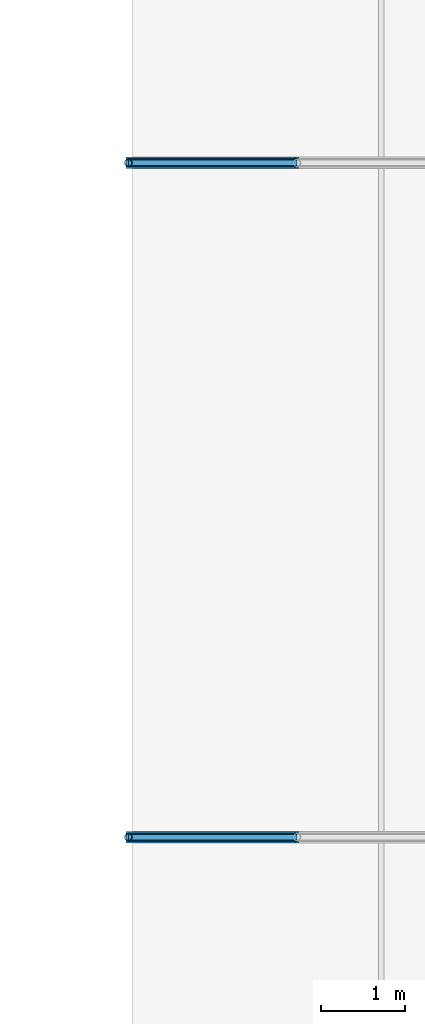
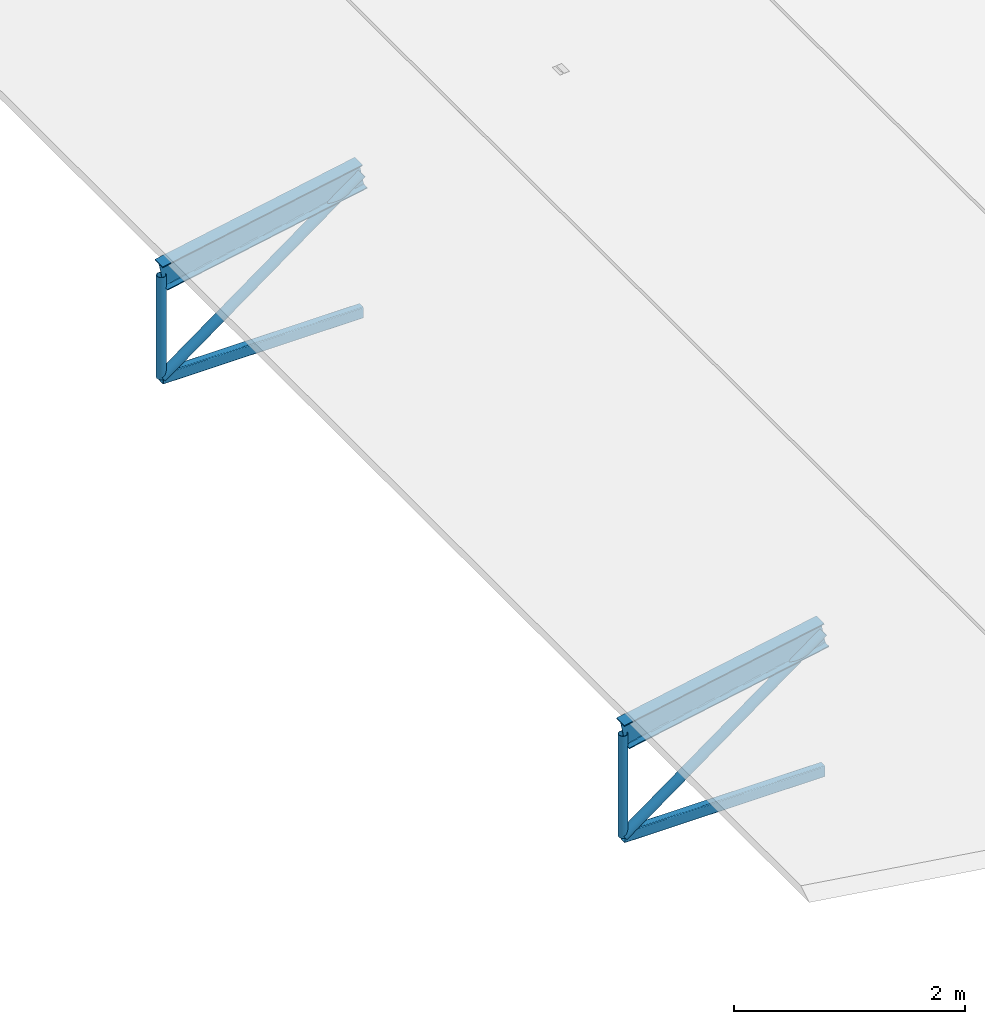
# One storey, part 39 of 54: 8 members.
"""IFC4 building model written with IfcOpenShell, lengths in metres."""

from ifc_helpers import new_model, si_unit, derived_unit, direction, frame, origin, origin_2d, place, context, subcontext, project, spatial, hollow_rectangle, hollow_circle, i_section, extrude, material, material_profile, profile_set, type_object, element, save


model = new_model("IFC4")

# Units and contexts
model_context = context("Model", 3, precision=1e-05, world=origin(), true_north=direction((0.0, 1.0)))
body_context = subcontext(model_context, "Body", "Model", "MODEL_VIEW")
ifc_project = project(units=[si_unit("LENGTHUNIT", "METRE"), si_unit("AREAUNIT", "SQUARE_METRE"), si_unit("VOLUMEUNIT", "CUBIC_METRE"), si_unit("PLANEANGLEUNIT", "RADIAN"), si_unit("MASSUNIT", "GRAM", prefix="KILO"), derived_unit("THERMALTRANSMITTANCEUNIT", [(si_unit("POWERUNIT", "WATT"), 1), (si_unit("LENGTHUNIT", "METRE"), -2), (si_unit("THERMODYNAMICTEMPERATUREUNIT", "KELVIN"), -1)])], contexts=[model_context])

# Site, building, storey
site_placement = place(None, origin())
site = spatial("IfcSite", under=ifc_project, at=site_placement, CompositionType="ELEMENT")
building_placement = place(site_placement, origin())
building = spatial("IfcBuilding", under=site, at=building_placement, Name="Keldorne Ridge Multi-Sports Centre", CompositionType="ELEMENT")
storey_placement = place(building_placement, frame((0.0, 0.0, 22.199951171875)))
storey = spatial("IfcBuildingStorey", under=building, at=storey_placement, Name="ROOF", CompositionType="ELEMENT", Elevation=22.199951171875)

# Members
ifc_material = material(Name="Steel S355", Category="steel")
ifc_material_profile_1 = material_profile(ifc_material, i_section(OverallWidth=0.135009765625, OverallDepth=0.27001953125, WebThickness=0.006591796875, FlangeThickness=0.01025390625, FilletRadius=0.014892578125, at=origin_2d()), Name="IPE 270")
ifc_profile_set_1 = profile_set([ifc_material_profile_1], Name="Steel S355")
member_type_1 = type_object("IfcMemberType", Name="MEM-RF-02", PredefinedType="RAFTER", material=ifc_profile_set_1)
for number, where, z_axis, x_axis, name in (
    (1, (84.0, 90.0, -12.639892578125), (0.982435006317, 0.0, 0.186605086649), (0.0, 1.0, 0.0), "Public Passage bowstring arch top chord 11.1"),
    (2, (84.0, 98.0, -12.639892578125), (0.982435006317, 0.0, 0.186605086649), (0.0, 1.0, 0.0), "Public Passage bowstring arch top chord 12.1"),
):
    element("IfcMember", number, at=place(storey_placement, frame(where, z_axis=z_axis, x_axis=x_axis)), inside=storey, type_object=member_type_1, Name=name, PredefinedType="RAFTER", context=body_context, shape_type="SweptSolid", body=[
        extrude(i_section(OverallWidth=0.135009765625, OverallDepth=0.27001953125, WebThickness=0.006591796875, FlangeThickness=0.01025390625, FilletRadius=0.014892578125, at=origin_2d()), origin(), (0.0, 0.0, 1.0), 2.03564453125),
    ])
ifc_material_profile_2 = material_profile(ifc_material, hollow_rectangle(XDim=0.080078125, YDim=0.1201171875, WallThickness=0.008056640625, InnerFilletRadius=0.008056640625, OuterFilletRadius=0.01611328125, at=origin_2d()), Name="RHS 120x80x8")
ifc_profile_set_2 = profile_set([ifc_material_profile_2], Name="Steel S355")
member_type_2 = type_object("IfcMemberType", Name="MEM-TC-07", PredefinedType="CHORD", material=ifc_profile_set_2)
for number, where, z_axis, x_axis, name in (
    (3, (84.0, 90.0, -13.719970703125), (1.0, 0.0, 0.0), (0.0, 1.0, 0.0), "Public Passage bowstring tie chord 11.1"),
    (4, (84.0, 98.0, -13.719970703125), (1.0, 0.0, 0.0), (0.0, 1.0, 0.0), "Public Passage bowstring tie chord 12.1"),
):
    element("IfcMember", number, at=place(storey_placement, frame(where, z_axis=z_axis, x_axis=x_axis)), inside=storey, type_object=member_type_2, Name=name, PredefinedType="CHORD", context=body_context, shape_type="SweptSolid", body=[
        extrude(hollow_rectangle(XDim=0.080078125, YDim=0.1201171875, WallThickness=0.008056640625, InnerFilletRadius=0.008056640625, OuterFilletRadius=0.01611328125, at=origin_2d()), origin(), (0.0, 0.0, 1.0), 2.0),
    ])
ifc_material_profile_3 = material_profile(ifc_material, hollow_circle(Radius=0.05078125, WallThickness=0.00634765625, at=origin_2d()), Name="CHS 101.6x6.3")
ifc_profile_set_3 = profile_set([ifc_material_profile_3], Name="Steel S355")
member_type_3 = type_object("IfcMemberType", Name="MEM-TD-05", PredefinedType="BRACE", material=ifc_profile_set_3)
for number, where, z_axis, x_axis, name in (
    (5, (84.0, 90.0, -13.719970703125), (0.8076945033, 0.0, 0.589601212125), (0.0, 1.0, 0.0), "Public Passage bowstring web diagonal 11.1"),
    (6, (84.0, 98.0, -13.719970703125), (0.8076945033, 0.0, 0.589601212125), (0.0, 1.0, 0.0), "Public Passage bowstring web diagonal 12.1"),
):
    element("IfcMember", number, at=place(storey_placement, frame(where, z_axis=z_axis, x_axis=x_axis)), inside=storey, type_object=member_type_3, Name=name, PredefinedType="BRACE", context=body_context, shape_type="SweptSolid", body=[
        extrude(hollow_circle(Radius=0.05078125, WallThickness=0.00634765625, at=origin_2d()), origin(), (0.0, 0.0, 1.0), 2.47607421875),
    ])
ifc_material_profile_4 = material_profile(ifc_material, hollow_circle(Radius=0.04443359375, WallThickness=0.0048828125, at=origin_2d()), Name="CHS 88.9x5")
ifc_profile_set_4 = profile_set([ifc_material_profile_4], Name="Steel S355")
member_type_4 = type_object("IfcMemberType", Name="MEM-TV-07", PredefinedType="STRUT", material=ifc_profile_set_4)
for number, where, z_axis, x_axis, name in (
    (7, (84.0, 90.0, -13.719970703125), (0.0, 0.0, 1.0), (1.0, 0.0, 0.0), "Public Passage bowstring hanger 11.1"),
    (8, (84.0, 98.0, -13.719970703125), (0.0, 0.0, 1.0), (1.0, 0.0, 0.0), "Public Passage bowstring hanger 12.1"),
):
    element("IfcMember", number, at=place(storey_placement, frame(where, z_axis=z_axis, x_axis=x_axis)), inside=storey, type_object=member_type_4, Name=name, PredefinedType="STRUT", context=body_context, shape_type="SweptSolid", body=[
        extrude(hollow_circle(Radius=0.04443359375, WallThickness=0.0048828125, at=origin_2d()), origin(), (0.0, 0.0, 1.0), 1.080078125),
    ])

save(model, "model.ifc")
